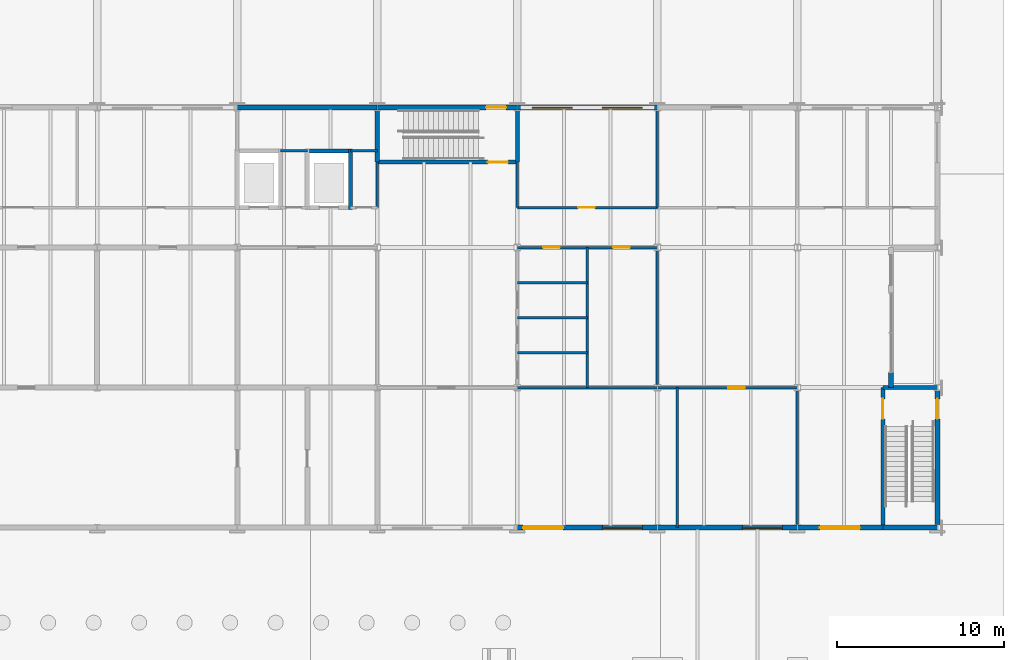
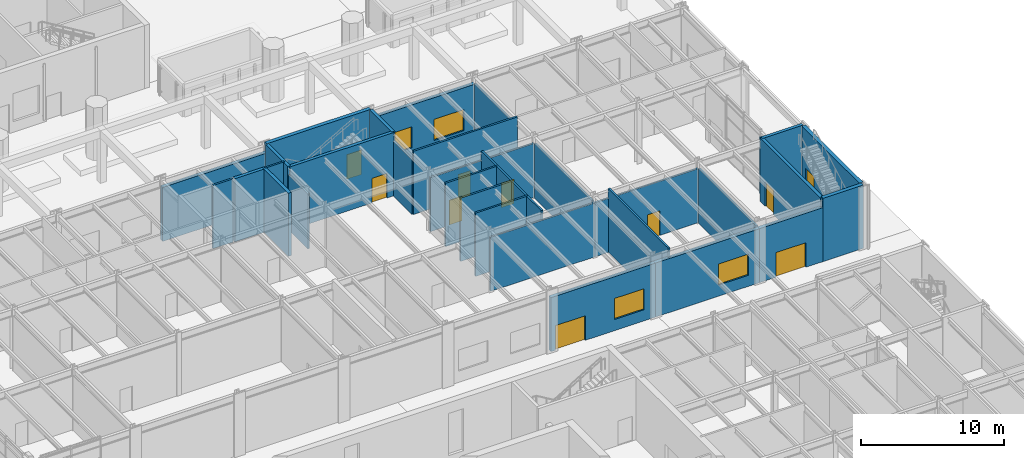
# One storey, part 71 of 127: 32 walls, 10 doors, 4 windows, 14 openings.
"""IFC4 building model written with IfcOpenShell, lengths in metres."""

from ifc_helpers import new_model, si_unit, direction, frame, frame_2d, origin, place, context, subcontext, project, spatial, rectangle, extrude, material, layer, layer_set, type_object, element, fill, save


model = new_model("IFC4")

# Units and contexts
model_context = context("Model", 3, precision=1e-05, world=origin(), true_north=direction((0.0, 1.0)))
body_context = subcontext(model_context, "Body", "Model", "MODEL_VIEW")
ifc_project = project(units=[si_unit("LENGTHUNIT", "METRE"), si_unit("AREAUNIT", "SQUARE_METRE"), si_unit("VOLUMEUNIT", "CUBIC_METRE"), si_unit("PLANEANGLEUNIT", "RADIAN"), si_unit("MASSUNIT", "GRAM", prefix="KILO")], contexts=[model_context])

# Site, building, storey
site_placement = place(None, origin())
site = spatial("IfcSite", under=ifc_project, at=site_placement, CompositionType="ELEMENT")
building_placement = place(site_placement, origin())
building = spatial("IfcBuilding", under=site, at=building_placement, Name="Ljudholm Concert House", CompositionType="ELEMENT")
storey_placement = place(building_placement, origin())
storey = spatial("IfcBuildingStorey", under=building, at=storey_placement, Name="L00", CompositionType="ELEMENT", Elevation=0.0)

# Walls
ifc_material_1 = material(Name="Gypsum board on steel studs", Category="steel")
ifc_layer_1 = layer(ifc_material_1, 0.14990234375)
ifc_layer_set_1 = layer_set([ifc_layer_1], Name="Gypsum board on steel studs")
wall_type_1 = type_object("IfcWallType", Name="GYPSUM PARTITION 150", PredefinedType="PARTITIONING", material=ifc_layer_set_1)
for number, where, z_axis, x_axis, name in (
    (1, (88.0, 124.0, 0.0), (0.0, 0.0, 1.0), (0.0, 1.0, 0.0), "Partition"),
    (2, (96.39990234375, 124.0, 0.0), (0.0, 0.0, 1.0), (0.0, 1.0, 0.0), "Partition"),
):
    element("IfcWall", number, at=place(storey_placement, frame(where, z_axis=z_axis, x_axis=x_axis)), inside=storey, type_object=wall_type_1, Name=name, PredefinedType="PARTITIONING", context=body_context, shape_type="SweptSolid", body=[
        extrude(rectangle(XDim=2.72509765625, YDim=0.14990234375, at=frame_2d((1.362548828125, 0.0))), origin(), (0.0, 0.0, 1.0), 4.6865234375),
    ])
wall_1_placement = place(storey_placement, frame((100.60009765625, 113.199951171875, 0.0), z_axis=(0.0, 0.0, 1.0), x_axis=(0.0, 1.0, 0.0)))
element("IfcWall", 3, at=wall_1_placement, inside=storey, type_object=wall_type_1, Name="Partition", PredefinedType="PARTITIONING", context=body_context, shape_type="SweptSolid", body=[
    extrude(rectangle(XDim=8.400146484375, YDim=0.14990234375, at=frame_2d((4.2001953125, 0.0))), origin(), (0.0, 0.0, 1.0), 5.39990234375),
])
wall_2_placement = place(storey_placement, frame((104.800048828125, 113.38671875, 0.0), z_axis=(0.0, 0.0, 1.0), x_axis=(0.0, 1.0, 0.0)))
element("IfcWall", 4, at=wall_2_placement, inside=storey, type_object=wall_type_1, Name="Partition", PredefinedType="PARTITIONING", context=body_context, shape_type="SweptSolid", body=[
    extrude(rectangle(XDim=8.026611328125, YDim=0.14990234375, at=frame_2d((4.01318359375, 0.0))), origin(), (0.0, 0.0, 1.0), 4.6865234375),
])
wall_3_placement = place(storey_placement, frame((104.800048828125, 124.0, 0.0), z_axis=(0.0, 0.0, 1.0), x_axis=(0.0, 1.0, 0.0)))
element("IfcWall", 5, at=wall_3_placement, inside=storey, type_object=wall_type_1, Name="Partition", PredefinedType="PARTITIONING", context=body_context, shape_type="SweptSolid", body=[
    extrude(rectangle(XDim=5.813232421875, YDim=0.14990234375, at=frame_2d((2.90673828125, 0.0))), origin(), (0.0, 0.0, 1.0), 4.6865234375),
])
wall_4_placement = place(storey_placement, frame((106.0, 104.800048828125, 0.0), z_axis=(0.0, 0.0, 1.0), x_axis=(0.0, 1.0, 0.0)))
element("IfcWall", 6, at=wall_4_placement, inside=storey, type_object=wall_type_1, Name="Partition", PredefinedType="PARTITIONING", context=body_context, shape_type="SweptSolid", body=[
    extrude(rectangle(XDim=8.39990234375, YDim=0.14990234375, at=frame_2d((4.199951171875, 0.0))), origin(), (0.0, 0.0, 1.0), 5.39990234375),
])
wall_5_placement = place(storey_placement, frame((113.199951171875, 104.986572265625, 0.0), z_axis=(0.0, 0.0, 1.0), x_axis=(0.0, 1.0, 0.0)))
element("IfcWall", 7, at=wall_5_placement, inside=storey, type_object=wall_type_1, Name="Partition", PredefinedType="PARTITIONING", context=body_context, shape_type="SweptSolid", body=[
    extrude(rectangle(XDim=8.02685546875, YDim=0.14990234375, at=frame_2d((4.013427734375, 0.0))), origin(), (0.0, 0.0, 1.0), 4.6865234375),
])

# Wall, opening, door
wall_6_placement = place(storey_placement, frame((104.791748046875, 113.199951171875, 0.0), z_axis=(0.0, 0.0, 1.0), x_axis=(1.0, 0.0, 0.0)))
wall_6 = element("IfcWall", 8, at=wall_6_placement, inside=storey, type_object=wall_type_1, Name="Partition", PredefinedType="PARTITIONING", context=body_context, shape_type="SweptSolid", body=[
    extrude(rectangle(XDim=8.400146484375, YDim=0.14990234375, at=frame_2d((4.2001953125, 0.0))), origin(), (0.0, 0.0, 1.0), 4.60791015625),
])
opening_1_placement = place(wall_6_placement, frame((4.25830078125, 0.0, 0.0)))
opening_1 = element("IfcOpeningElement", 9, at=opening_1_placement, cuts=wall_6, Name="Opening D-R00-029", PredefinedType="OPENING", context=body_context, shape_type="SweptSolid", body=[
    extrude(rectangle(XDim=1.0, YDim=2.10009765625, at=frame_2d((0.5, 1.050048828125))), frame((0.0, 0.0849609375, 0.0), z_axis=(0.0, -1.0, 0.0), x_axis=(1.0, 0.0, 0.0)), (0.0, 0.0, 1.0), 0.169921875),
])
ifc_material_2 = material(Name="Hollow metal door in steel frame", Category="steel")
door_type_1 = type_object("IfcDoorType", Name="SWING DOOR 1000x2100", OperationType="SINGLE_SWING_LEFT", PredefinedType="DOOR", material=ifc_material_2)
door_1_placement = place(opening_1_placement, frame((1.0, 0.0, 0.0), z_axis=(0.0, 0.0, 1.0), x_axis=(-1.0, 0.0, 0.0)))
door_1 = element("IfcDoor", 10, at=door_1_placement, inside=storey, type_object=door_type_1, Name="Door", OperationType="SINGLE_SWING_LEFT", OverallHeight=2.10009765625, OverallWidth=1.0, PredefinedType="DOOR", context=body_context, shape_type="SweptSolid", body=[
    extrude(rectangle(XDim=1.0, YDim=2.10009765625, at=frame_2d((0.5, 1.050048828125))), frame((0.0, 0.02490234375, 0.0), z_axis=(0.0, -1.0, 0.0), x_axis=(1.0, 0.0, 0.0)), (0.0, 0.0, 1.0), 0.050048828125),
])
fill(opening_1, door_1)

# Walls
wall_7_placement = place(storey_placement, frame((96.391845703125, 113.199951171875, 0.0), z_axis=(0.0, 0.0, 1.0), x_axis=(1.0, 0.0, 0.0)))
element("IfcWall", 11, at=wall_7_placement, inside=storey, type_object=wall_type_1, Name="Partition", PredefinedType="PARTITIONING", context=body_context, shape_type="SweptSolid", body=[
    extrude(rectangle(XDim=8.416259765625, YDim=0.14990234375, at=frame_2d((4.2080078125, 0.0))), origin(), (0.0, 0.0, 1.0), 4.60791015625),
])
for number, where, z_axis, x_axis, name in (
    (12, (96.39990234375, 115.300048828125, 0.0), (0.0, 0.0, 1.0), (1.0, 0.0, 0.0), "Partition"),
    (13, (96.39990234375, 117.39990234375, 0.0), (0.0, 0.0, 1.0), (1.0, 0.0, 0.0), "Partition"),
    (14, (96.39990234375, 119.5, 0.0), (0.0, 0.0, 1.0), (1.0, 0.0, 0.0), "Partition"),
):
    element("IfcWall", number, at=place(storey_placement, frame(where, z_axis=z_axis, x_axis=x_axis)), inside=storey, type_object=wall_type_1, Name=name, PredefinedType="PARTITIONING", context=body_context, shape_type="SweptSolid", body=[
        extrude(rectangle(XDim=4.2001953125, YDim=0.14990234375, at=frame_2d((2.10009765625, 0.0))), origin(), (0.0, 0.0, 1.0), 5.39990234375),
    ])

# Wall, openings, doors
wall_8_placement = place(storey_placement, frame((96.408203125, 121.60009765625, 0.0), z_axis=(0.0, 0.0, 1.0), x_axis=(1.0, 0.0, 0.0)))
wall_8 = element("IfcWall", 15, at=wall_8_placement, inside=storey, type_object=wall_type_1, Name="Partition", PredefinedType="PARTITIONING", context=body_context, shape_type="SweptSolid", body=[
    extrude(rectangle(XDim=8.383544921875, YDim=0.14990234375, at=frame_2d((4.19189453125, 0.0))), origin(), (0.0, 0.0, 1.0), 4.60791015625),
])
opening_2_placement = place(wall_8_placement, frame((1.541748046875, 0.0, 0.0)))
opening_2 = element("IfcOpeningElement", 16, at=opening_2_placement, cuts=wall_8, Name="Opening D-R00-027", PredefinedType="OPENING", context=body_context, shape_type="SweptSolid", body=[
    extrude(rectangle(XDim=1.0, YDim=2.10009765625, at=frame_2d((0.5, 1.050048828125))), frame((0.0, 0.0849609375, 0.0), z_axis=(0.0, -1.0, 0.0), x_axis=(1.0, 0.0, 0.0)), (0.0, 0.0, 1.0), 0.169921875),
])
opening_3_placement = place(wall_8_placement, frame((5.74169921875, 0.0, 0.0)))
opening_3 = element("IfcOpeningElement", 17, at=opening_3_placement, cuts=wall_8, Name="Opening D-R00-028", PredefinedType="OPENING", context=body_context, shape_type="SweptSolid", body=[
    extrude(rectangle(XDim=1.0, YDim=2.10009765625, at=frame_2d((0.5, 1.050048828125))), frame((0.0, 0.0849609375, 0.0), z_axis=(0.0, -1.0, 0.0), x_axis=(1.0, 0.0, 0.0)), (0.0, 0.0, 1.0), 0.169921875),
])
door_2_placement = place(opening_2_placement, frame((1.0, 0.0, 0.0), z_axis=(0.0, 0.0, 1.0), x_axis=(-1.0, 0.0, 0.0)))
door_2 = element("IfcDoor", 18, at=door_2_placement, inside=storey, type_object=door_type_1, Name="Door", OperationType="SINGLE_SWING_LEFT", OverallHeight=2.10009765625, OverallWidth=1.0, PredefinedType="DOOR", context=body_context, shape_type="SweptSolid", body=[
    extrude(rectangle(XDim=1.0, YDim=2.10009765625, at=frame_2d((0.5, 1.050048828125))), frame((0.0, 0.02490234375, 0.0), z_axis=(0.0, -1.0, 0.0), x_axis=(1.0, 0.0, 0.0)), (0.0, 0.0, 1.0), 0.050048828125),
])
fill(opening_2, door_2)
door_3_placement = place(opening_3_placement, frame((1.0, 0.0, 0.0), z_axis=(0.0, 0.0, 1.0), x_axis=(-1.0, 0.0, 0.0)))
door_3 = element("IfcDoor", 19, at=door_3_placement, inside=storey, type_object=door_type_1, Name="Door", OperationType="SINGLE_SWING_RIGHT", OverallHeight=2.10009765625, OverallWidth=1.0, PredefinedType="DOOR", context=body_context, shape_type="SweptSolid", body=[
    extrude(rectangle(XDim=1.0, YDim=2.10009765625, at=frame_2d((0.5, 1.050048828125))), frame((0.0, 0.02490234375, 0.0), z_axis=(0.0, -1.0, 0.0), x_axis=(1.0, 0.0, 0.0)), (0.0, 0.0, 1.0), 0.050048828125),
])
fill(opening_3, door_3)

# Wall, opening, door
wall_9_placement = place(storey_placement, frame((96.39990234375, 124.0, 0.0), z_axis=(0.0, 0.0, 1.0), x_axis=(1.0, 0.0, 0.0)))
wall_9 = element("IfcWall", 20, at=wall_9_placement, inside=storey, type_object=wall_type_1, Name="Partition", PredefinedType="PARTITIONING", context=body_context, shape_type="SweptSolid", body=[
    extrude(rectangle(XDim=8.400146484375, YDim=0.14990234375, at=frame_2d((4.2001953125, 0.0))), origin(), (0.0, 0.0, 1.0), 5.39990234375),
])
opening_4_placement = place(wall_9_placement, frame((3.64990234375, 0.0, 0.0)))
opening_4 = element("IfcOpeningElement", 21, at=opening_4_placement, cuts=wall_9, Name="Opening D-R00-032", PredefinedType="OPENING", context=body_context, shape_type="SweptSolid", body=[
    extrude(rectangle(XDim=1.0, YDim=2.10009765625, at=frame_2d((0.5, 1.050048828125))), frame((0.0, 0.0849609375, 0.0), z_axis=(0.0, -1.0, 0.0), x_axis=(1.0, 0.0, 0.0)), (0.0, 0.0, 1.0), 0.169921875),
])
door_4_placement = place(opening_4_placement, origin())
door_4 = element("IfcDoor", 22, at=door_4_placement, inside=storey, type_object=door_type_1, Name="Door", OperationType="SINGLE_SWING_LEFT", OverallHeight=2.10009765625, OverallWidth=1.0, PredefinedType="DOOR", context=body_context, shape_type="SweptSolid", body=[
    extrude(rectangle(XDim=1.0, YDim=2.10009765625, at=frame_2d((0.5, 1.050048828125))), frame((0.0, 0.02490234375, 0.0), z_axis=(0.0, -1.0, 0.0), x_axis=(1.0, 0.0, 0.0)), (0.0, 0.0, 1.0), 0.050048828125),
])
fill(opening_4, door_4)

# Walls
for number, where, z_axis, x_axis, name in (
    (23, (82.199951171875, 127.39990234375, 0.0), (0.0, 0.0, 1.0), (1.0, 0.0, 0.0), "Partition"),
    (24, (86.39990234375, 127.39990234375, 0.0), (0.0, 0.0, 1.0), (1.0, 0.0, 0.0), "Partition"),
):
    element("IfcWall", number, at=place(storey_placement, frame(where, z_axis=z_axis, x_axis=x_axis)), inside=storey, type_object=wall_type_1, Name=name, PredefinedType="PARTITIONING", context=body_context, shape_type="SweptSolid", body=[
        extrude(rectangle(XDim=1.60009765625, YDim=0.14990234375, at=frame_2d((0.800048828125, 0.0))), origin(), (0.0, 0.0, 1.0), 5.39990234375),
    ])
ifc_material_3 = material(Name="Precast concrete 5,000 psi", Category="concrete")
ifc_layer_2 = layer(ifc_material_3, 0.300048828125)
ifc_layer_set_2 = layer_set([ifc_layer_2], Name="Precast concrete 5,000 psi")
wall_type_2 = type_object("IfcWallType", Name="PRECAST PANEL WALL 300", PredefinedType="SOLIDWALL", material=ifc_layer_set_2)
wall_10_placement = place(storey_placement, frame((118.800048828125, 113.199951171875, 0.0), z_axis=(0.0, 0.0, 1.0), x_axis=(0.0, 1.0, 0.0)))
element("IfcWall", 25, at=wall_10_placement, inside=storey, type_object=wall_type_2, Name="Entrance wall", PredefinedType="SOLIDWALL", context=body_context, shape_type="SweptSolid", body=[
    extrude(rectangle(XDim=0.900146484375, YDim=0.300048828125, at=frame_2d((0.4501953125, 0.0))), origin(), (0.0, 0.0, 1.0), 4.813720703125),
])

# Wall, openings, window, door
wall_11_placement = place(storey_placement, frame((96.391845703125, 104.800048828125, 0.0), z_axis=(0.0, 0.0, 1.0), x_axis=(1.0, 0.0, 0.0)))
wall_11 = element("IfcWall", 26, at=wall_11_placement, inside=storey, type_object=wall_type_2, Name="Facade wall", PredefinedType="SOLIDWALL", context=body_context, shape_type="SweptSolid", body=[
    extrude(rectangle(XDim=8.416259765625, YDim=0.300048828125, at=frame_2d((4.2080078125, 0.0))), origin(), (0.0, 0.0, 1.0), 4.60791015625),
])
opening_5_placement = place(wall_11_placement, frame((0.358154296875, 0.0, 0.0)))
opening_5 = element("IfcOpeningElement", 27, at=opening_5_placement, cuts=wall_11, Name="Opening D-R00-008", PredefinedType="OPENING", context=body_context, shape_type="SweptSolid", body=[
    extrude(rectangle(XDim=2.39990234375, YDim=2.10009765625, at=frame_2d((1.199951171875, 1.050048828125))), frame((0.0, 0.159912109375, 0.0), z_axis=(0.0, -1.0, 0.0), x_axis=(1.0, 0.0, 0.0)), (0.0, 0.0, 1.0), 0.320068359375),
])
opening_6_placement = place(wall_11_placement, frame((5.108154296875, 0.0, 0.949951171875)))
opening_6 = element("IfcOpeningElement", 28, at=opening_6_placement, cuts=wall_11, Name="Opening X-R00-003", PredefinedType="OPENING", context=body_context, shape_type="SweptSolid", body=[
    extrude(rectangle(XDim=2.39990234375, YDim=1.800048828125, at=frame_2d((1.199951171875, 0.89990234375))), frame((0.0, 0.159912109375, 0.0), z_axis=(0.0, -1.0, 0.0), x_axis=(1.0, 0.0, 0.0)), (0.0, 0.0, 1.0), 0.320068359375),
])
ifc_material_4 = material(Name="Aluminium frame, impact glazing", Category="aluminium")
window_type_1 = type_object("IfcWindowType", Name="CASEMENT WINDOW 2400x1800", PartitioningType="DOUBLE_PANEL_VERTICAL", PredefinedType="WINDOW", material=ifc_material_4)
window_1_placement = place(opening_6_placement, origin())
window_1 = element("IfcWindow", 29, at=window_1_placement, inside=storey, type_object=window_type_1, Name="Window", OverallHeight=1.800048828125, OverallWidth=2.39990234375, PartitioningType="DOUBLE_PANEL_VERTICAL", PredefinedType="WINDOW", context=body_context, shape_type="SweptSolid", body=[
    extrude(rectangle(XDim=2.39990234375, YDim=1.800048828125, at=frame_2d((1.199951171875, 0.89990234375))), frame((0.0, 0.030029296875, 0.0), z_axis=(0.0, -1.0, 0.0), x_axis=(1.0, 0.0, 0.0)), (0.0, 0.0, 1.0), 0.06005859375),
])
fill(opening_6, window_1)
ifc_material_5 = material(Name="Hollow metal door in steel frame", Category="steel")
door_type_2 = type_object("IfcDoorType", Name="DOUBLE DOOR 2400x2100 EXTERNAL", OperationType="DOUBLE_DOOR_SINGLE_SWING", PredefinedType="DOOR", material=ifc_material_5)
door_5_placement = place(opening_5_placement, frame((2.39990234375, 0.0, 0.0), z_axis=(0.0, 0.0, 1.0), x_axis=(-1.0, 0.0, 0.0)))
door_5 = element("IfcDoor", 30, at=door_5_placement, inside=storey, type_object=door_type_2, Name="Entrance door", OperationType="DOUBLE_DOOR_SINGLE_SWING", OverallHeight=2.10009765625, OverallWidth=2.39990234375, PredefinedType="DOOR", context=body_context, shape_type="SweptSolid", body=[
    extrude(rectangle(XDim=2.39990234375, YDim=2.10009765625, at=frame_2d((1.199951171875, 1.050048828125))), frame((0.0, 0.02490234375, 0.0), z_axis=(0.0, -1.0, 0.0), x_axis=(1.0, 0.0, 0.0)), (0.0, 0.0, 1.0), 0.050048828125),
])
fill(opening_5, door_5)

# Wall, opening, window
wall_12_placement = place(storey_placement, frame((104.791748046875, 104.800048828125, 0.0), z_axis=(0.0, 0.0, 1.0), x_axis=(1.0, 0.0, 0.0)))
wall_12 = element("IfcWall", 31, at=wall_12_placement, inside=storey, type_object=wall_type_2, Name="Facade wall", PredefinedType="SOLIDWALL", context=body_context, shape_type="SweptSolid", body=[
    extrude(rectangle(XDim=8.41650390625, YDim=0.300048828125, at=frame_2d((4.208251953125, 0.0))), origin(), (0.0, 0.0, 1.0), 4.60791015625),
])
opening_7_placement = place(wall_12_placement, frame((5.108154296875, 0.0, 0.949951171875)))
opening_7 = element("IfcOpeningElement", 32, at=opening_7_placement, cuts=wall_12, Name="Opening X-R00-004", PredefinedType="OPENING", context=body_context, shape_type="SweptSolid", body=[
    extrude(rectangle(XDim=2.39990234375, YDim=1.800048828125, at=frame_2d((1.199951171875, 0.89990234375))), frame((0.0, 0.159912109375, 0.0), z_axis=(0.0, -1.0, 0.0), x_axis=(1.0, 0.0, 0.0)), (0.0, 0.0, 1.0), 0.320068359375),
])
window_2_placement = place(opening_7_placement, origin())
window_2 = element("IfcWindow", 33, at=window_2_placement, inside=storey, type_object=window_type_1, Name="Window", OverallHeight=1.800048828125, OverallWidth=2.39990234375, PartitioningType="DOUBLE_PANEL_VERTICAL", PredefinedType="WINDOW", context=body_context, shape_type="SweptSolid", body=[
    extrude(rectangle(XDim=2.39990234375, YDim=1.800048828125, at=frame_2d((1.199951171875, 0.89990234375))), frame((0.0, 0.030029296875, 0.0), z_axis=(0.0, -1.0, 0.0), x_axis=(1.0, 0.0, 0.0)), (0.0, 0.0, 1.0), 0.06005859375),
])
fill(opening_7, window_2)

# Wall, opening, door
wall_13_placement = place(storey_placement, frame((113.19189453125, 104.800048828125, 0.0), z_axis=(0.0, 0.0, 1.0), x_axis=(1.0, 0.0, 0.0)))
wall_13 = element("IfcWall", 34, at=wall_13_placement, inside=storey, type_object=wall_type_2, Name="Facade wall", PredefinedType="SOLIDWALL", context=body_context, shape_type="SweptSolid", body=[
    extrude(rectangle(XDim=5.133056640625, YDim=0.300048828125, at=frame_2d((2.56640625, 0.0))), origin(), (0.0, 0.0, 1.0), 4.60791015625),
])
opening_8_placement = place(wall_13_placement, frame((1.358154296875, 0.0, 0.0)))
opening_8 = element("IfcOpeningElement", 35, at=opening_8_placement, cuts=wall_13, Name="Opening D-R00-006", PredefinedType="OPENING", context=body_context, shape_type="SweptSolid", body=[
    extrude(rectangle(XDim=2.39990234375, YDim=2.10009765625, at=frame_2d((1.199951171875, 1.050048828125))), frame((0.0, 0.159912109375, 0.0), z_axis=(0.0, -1.0, 0.0), x_axis=(1.0, 0.0, 0.0)), (0.0, 0.0, 1.0), 0.320068359375),
])
door_6_placement = place(opening_8_placement, frame((2.39990234375, 0.0, 0.0), z_axis=(0.0, 0.0, 1.0), x_axis=(-1.0, 0.0, 0.0)))
door_6 = element("IfcDoor", 36, at=door_6_placement, inside=storey, type_object=door_type_2, Name="Entrance door", OperationType="DOUBLE_DOOR_SINGLE_SWING", OverallHeight=2.10009765625, OverallWidth=2.39990234375, PredefinedType="DOOR", context=body_context, shape_type="SweptSolid", body=[
    extrude(rectangle(XDim=2.39990234375, YDim=2.10009765625, at=frame_2d((1.199951171875, 1.050048828125))), frame((0.0, 0.02490234375, 0.0), z_axis=(0.0, -1.0, 0.0), x_axis=(1.0, 0.0, 0.0)), (0.0, 0.0, 1.0), 0.050048828125),
])
fill(opening_8, door_6)

# Wall
wall_14_placement = place(storey_placement, frame((79.591796875, 130.0, 0.0), z_axis=(0.0, 0.0, 1.0), x_axis=(1.0, 0.0, 0.0)))
element("IfcWall", 37, at=wall_14_placement, inside=storey, type_object=wall_type_2, Name="Facade wall", PredefinedType="SOLIDWALL", context=body_context, shape_type="SweptSolid", body=[
    extrude(rectangle(XDim=8.41650390625, YDim=0.300048828125, at=frame_2d((4.208251953125, 0.0))), origin(), (0.0, 0.0, 1.0), 4.60791015625),
])

# Wall, openings, windows
wall_15_placement = place(storey_placement, frame((96.391845703125, 130.0, 0.0), z_axis=(0.0, 0.0, 1.0), x_axis=(1.0, 0.0, 0.0)))
wall_15 = element("IfcWall", 38, at=wall_15_placement, inside=storey, type_object=wall_type_2, Name="Facade wall", PredefinedType="SOLIDWALL", context=body_context, shape_type="SweptSolid", body=[
    extrude(rectangle(XDim=8.416259765625, YDim=0.300048828125, at=frame_2d((4.2080078125, 0.0))), origin(), (0.0, 0.0, 1.0), 4.60791015625),
])
opening_9_placement = place(wall_15_placement, frame((0.908203125, 0.0, 0.949951171875)))
opening_9 = element("IfcOpeningElement", 39, at=opening_9_placement, cuts=wall_15, Name="Opening X-R00-008", PredefinedType="OPENING", context=body_context, shape_type="SweptSolid", body=[
    extrude(rectangle(XDim=2.39990234375, YDim=1.800048828125, at=frame_2d((1.199951171875, 0.89990234375))), frame((0.0, 0.159912109375, 0.0), z_axis=(0.0, -1.0, 0.0), x_axis=(1.0, 0.0, 0.0)), (0.0, 0.0, 1.0), 0.320068359375),
])
opening_10_placement = place(wall_15_placement, frame((5.108154296875, 0.0, 0.949951171875)))
opening_10 = element("IfcOpeningElement", 40, at=opening_10_placement, cuts=wall_15, Name="Opening X-R00-009", PredefinedType="OPENING", context=body_context, shape_type="SweptSolid", body=[
    extrude(rectangle(XDim=2.39990234375, YDim=1.800048828125, at=frame_2d((1.199951171875, 0.89990234375))), frame((0.0, 0.159912109375, 0.0), z_axis=(0.0, -1.0, 0.0), x_axis=(1.0, 0.0, 0.0)), (0.0, 0.0, 1.0), 0.320068359375),
])
ifc_material_6 = material(Name="Aluminium fixed louvre, timber-grain finish", Category="aluminium")
window_type_2 = type_object("IfcWindowType", Name="FIXED WINDOW 2400x1800", PartitioningType="SINGLE_PANEL", PredefinedType="WINDOW", material=ifc_material_6)
window_3_placement = place(opening_9_placement, origin())
window_3 = element("IfcWindow", 41, at=window_3_placement, inside=storey, type_object=window_type_2, Name="Plant louvre", OverallHeight=1.800048828125, OverallWidth=2.39990234375, PartitioningType="SINGLE_PANEL", PredefinedType="WINDOW", context=body_context, shape_type="SweptSolid", body=[
    extrude(rectangle(XDim=2.39990234375, YDim=1.800048828125, at=frame_2d((1.199951171875, 0.89990234375))), frame((0.0, 0.030029296875, 0.0), z_axis=(0.0, -1.0, 0.0), x_axis=(1.0, 0.0, 0.0)), (0.0, 0.0, 1.0), 0.06005859375),
])
fill(opening_9, window_3)
window_4_placement = place(opening_10_placement, origin())
window_4 = element("IfcWindow", 42, at=window_4_placement, inside=storey, type_object=window_type_2, Name="Plant louvre", OverallHeight=1.800048828125, OverallWidth=2.39990234375, PartitioningType="SINGLE_PANEL", PredefinedType="WINDOW", context=body_context, shape_type="SweptSolid", body=[
    extrude(rectangle(XDim=2.39990234375, YDim=1.800048828125, at=frame_2d((1.199951171875, 0.89990234375))), frame((0.0, 0.030029296875, 0.0), z_axis=(0.0, -1.0, 0.0), x_axis=(1.0, 0.0, 0.0)), (0.0, 0.0, 1.0), 0.06005859375),
])
fill(opening_10, window_4)

# Walls
ifc_material_7 = material(Name="Concrete 6,500 psi", Category="concrete")
ifc_layer_3 = layer(ifc_material_7, 0.25)
ifc_layer_set_3 = layer_set([ifc_layer_3], Name="Concrete 6,500 psi")
wall_type_3 = type_object("IfcWallType", Name="RC CORE WALL 250", PredefinedType="SHEAR", material=ifc_layer_set_3)
for number, where, z_axis, x_axis, name in (
    (43, (88.0, 126.72509765625, 0.0), (0.0, 0.0, 1.0), (0.0, 1.0, 0.0), "Stair core wall"),
    (44, (96.39990234375, 126.72509765625, 0.0), (0.0, 0.0, 1.0), (0.0, 1.0, 0.0), "Stair core wall"),
):
    element("IfcWall", number, at=place(storey_placement, frame(where, z_axis=z_axis, x_axis=x_axis)), inside=storey, type_object=wall_type_3, Name=name, PredefinedType="SHEAR", context=body_context, shape_type="SweptSolid", body=[
        extrude(rectangle(XDim=3.088134765625, YDim=0.25, at=frame_2d((1.5439453125, 0.0))), origin(), (0.0, 0.0, 1.0), 5.39990234375),
    ])

# Wall, opening, door
wall_16_placement = place(storey_placement, frame((118.324951171875, 104.800048828125, 0.0), z_axis=(0.0, 0.0, 1.0), x_axis=(0.0, 1.0, 0.0)))
wall_16 = element("IfcWall", 45, at=wall_16_placement, inside=storey, type_object=wall_type_3, Name="Stair core wall", PredefinedType="SHEAR", context=body_context, shape_type="SweptSolid", body=[
    extrude(rectangle(XDim=8.39990234375, YDim=0.25, at=frame_2d((4.199951171875, 0.0))), origin(), (0.0, 0.0, 1.0), 5.39990234375),
])
opening_11_placement = place(wall_16_placement, frame((6.52490234375, 0.0, 0.0)))
opening_11 = element("IfcOpeningElement", 46, at=opening_11_placement, cuts=wall_16, Name="Opening D-R00-013", PredefinedType="OPENING", context=body_context, shape_type="SweptSolid", body=[
    extrude(rectangle(XDim=1.199951171875, YDim=2.10009765625, at=frame_2d((0.60009765625, 1.050048828125))), frame((0.0, 0.135009765625, 0.0), z_axis=(0.0, -1.0, 0.0), x_axis=(1.0, 0.0, 0.0)), (0.0, 0.0, 1.0), 0.27001953125),
])
ifc_material_8 = material(Name="Hollow metal door in steel frame", Category="steel")
door_type_3 = type_object("IfcDoorType", Name="SWING DOOR 1200x2100", OperationType="SINGLE_SWING_LEFT", PredefinedType="DOOR", material=ifc_material_8)
door_7_placement = place(opening_11_placement, frame((1.199951171875, 0.0, 0.0), z_axis=(0.0, 0.0, 1.0), x_axis=(-1.0, 0.0, 0.0)))
door_7 = element("IfcDoor", 47, at=door_7_placement, inside=storey, type_object=door_type_3, Name="Door", OperationType="SINGLE_SWING_LEFT", OverallHeight=2.10009765625, OverallWidth=1.199951171875, PredefinedType="DOOR", context=body_context, shape_type="SweptSolid", body=[
    extrude(rectangle(XDim=1.199951171875, YDim=2.10009765625, at=frame_2d((0.60009765625, 1.050048828125))), frame((0.0, 0.02490234375, 0.0), z_axis=(0.0, -1.0, 0.0), x_axis=(1.0, 0.0, 0.0)), (0.0, 0.0, 1.0), 0.050048828125),
])
fill(opening_11, door_7)

# Wall
wall_17_placement = place(storey_placement, frame((118.324951171875, 113.199951171875, 0.0), z_axis=(0.0, 0.0, 1.0), x_axis=(1.0, 0.0, 0.0)))
element("IfcWall", 48, at=wall_17_placement, inside=storey, type_object=wall_type_3, Name="Stair core wall", PredefinedType="SHEAR", context=body_context, shape_type="SweptSolid", body=[
    extrude(rectangle(XDim=3.266845703125, YDim=0.25, at=frame_2d((1.63330078125, 0.0))), origin(), (0.0, 0.0, 1.0), 5.39990234375),
])

# Wall, opening, door
wall_18_placement = place(storey_placement, frame((88.0, 126.72509765625, 0.0), z_axis=(0.0, 0.0, 1.0), x_axis=(1.0, 0.0, 0.0)))
wall_18 = element("IfcWall", 49, at=wall_18_placement, inside=storey, type_object=wall_type_3, Name="Stair core wall", PredefinedType="SHEAR", context=body_context, shape_type="SweptSolid", body=[
    extrude(rectangle(XDim=8.39990234375, YDim=0.25, at=frame_2d((4.199951171875, 0.0))), origin(), (0.0, 0.0, 1.0), 5.39990234375),
])
opening_12_placement = place(wall_18_placement, frame((6.625, 0.0, 0.0)))
opening_12 = element("IfcOpeningElement", 50, at=opening_12_placement, cuts=wall_18, Name="Opening D-R00-012", PredefinedType="OPENING", context=body_context, shape_type="SweptSolid", body=[
    extrude(rectangle(XDim=1.199951171875, YDim=2.10009765625, at=frame_2d((0.60009765625, 1.050048828125))), frame((0.0, 0.135009765625, 0.0), z_axis=(0.0, -1.0, 0.0), x_axis=(1.0, 0.0, 0.0)), (0.0, 0.0, 1.0), 0.27001953125),
])
door_8_placement = place(opening_12_placement, frame((1.199951171875, 0.0, 0.0), z_axis=(0.0, 0.0, 1.0), x_axis=(-1.0, 0.0, 0.0)))
door_8 = element("IfcDoor", 51, at=door_8_placement, inside=storey, type_object=door_type_3, Name="Door", OperationType="SINGLE_SWING_LEFT", OverallHeight=2.10009765625, OverallWidth=1.199951171875, PredefinedType="DOOR", context=body_context, shape_type="SweptSolid", body=[
    extrude(rectangle(XDim=1.199951171875, YDim=2.10009765625, at=frame_2d((0.60009765625, 1.050048828125))), frame((0.0, 0.02490234375, 0.0), z_axis=(0.0, -1.0, 0.0), x_axis=(1.0, 0.0, 0.0)), (0.0, 0.0, 1.0), 0.050048828125),
])
fill(opening_12, door_8)

ifc_material_9 = material(Name="Concrete 6,500 psi", Category="concrete")
ifc_layer_4 = layer(ifc_material_9, 0.300048828125)
ifc_layer_set_4 = layer_set([ifc_layer_4], Name="Concrete 6,500 psi")
wall_type_4 = type_object("IfcWallType", Name="RC CORE WALL 300", PredefinedType="SHEAR", material=ifc_layer_set_4)
wall_19_placement = place(storey_placement, frame((121.60009765625, 104.986572265625, 0.0), z_axis=(0.0, 0.0, 1.0), x_axis=(0.0, 1.0, 0.0)))
wall_19 = element("IfcWall", 52, at=wall_19_placement, inside=storey, type_object=wall_type_4, Name="Stair core wall", PredefinedType="SHEAR", context=body_context, shape_type="SweptSolid", body=[
    extrude(rectangle(XDim=8.02685546875, YDim=0.300048828125, at=frame_2d((4.013427734375, 0.0))), origin(), (0.0, 0.0, 1.0), 5.39990234375),
])
opening_13_placement = place(wall_19_placement, frame((6.33837890625, 0.0, 0.0)))
opening_13 = element("IfcOpeningElement", 53, at=opening_13_placement, cuts=wall_19, Name="Opening D-R00-005", PredefinedType="OPENING", context=body_context, shape_type="SweptSolid", body=[
    extrude(rectangle(XDim=1.199951171875, YDim=2.10009765625, at=frame_2d((0.60009765625, 1.050048828125))), frame((0.0, 0.159912109375, 0.0), z_axis=(0.0, -1.0, 0.0), x_axis=(1.0, 0.0, 0.0)), (0.0, 0.0, 1.0), 0.320068359375),
])
ifc_material_10 = material(Name="Hollow metal door in steel frame", Category="steel")
door_type_4 = type_object("IfcDoorType", Name="SWING DOOR 1200x2100 EXTERNAL", OperationType="SINGLE_SWING_LEFT", PredefinedType="DOOR", material=ifc_material_10)
door_9_placement = place(opening_13_placement, frame((1.199951171875, 0.0, 0.0), z_axis=(0.0, 0.0, 1.0), x_axis=(-1.0, 0.0, 0.0)))
door_9 = element("IfcDoor", 54, at=door_9_placement, inside=storey, type_object=door_type_4, Name="Stair exit door", OperationType="SINGLE_SWING_LEFT", OverallHeight=2.10009765625, OverallWidth=1.199951171875, PredefinedType="DOOR", context=body_context, shape_type="SweptSolid", body=[
    extrude(rectangle(XDim=1.199951171875, YDim=2.10009765625, at=frame_2d((0.60009765625, 1.050048828125))), frame((0.0, 0.02490234375, 0.0), z_axis=(0.0, -1.0, 0.0), x_axis=(1.0, 0.0, 0.0)), (0.0, 0.0, 1.0), 0.050048828125),
])
fill(opening_13, door_9)

# Wall
wall_20_placement = place(storey_placement, frame((118.324951171875, 104.800048828125, 0.0), z_axis=(0.0, 0.0, 1.0), x_axis=(1.0, 0.0, 0.0)))
element("IfcWall", 55, at=wall_20_placement, inside=storey, type_object=wall_type_4, Name="Stair core wall", PredefinedType="SHEAR", context=body_context, shape_type="SweptSolid", body=[
    extrude(rectangle(XDim=3.266845703125, YDim=0.300048828125, at=frame_2d((1.63330078125, 0.0))), origin(), (0.0, 0.0, 1.0), 5.39990234375),
])

# Wall, opening, door
wall_21_placement = place(storey_placement, frame((87.99169921875, 130.0, 0.0), z_axis=(0.0, 0.0, 1.0), x_axis=(1.0, 0.0, 0.0)))
wall_21 = element("IfcWall", 56, at=wall_21_placement, inside=storey, type_object=wall_type_4, Name="Stair core wall", PredefinedType="SHEAR", context=body_context, shape_type="SweptSolid", body=[
    extrude(rectangle(XDim=8.41650390625, YDim=0.300048828125, at=frame_2d((4.208251953125, 0.0))), origin(), (0.0, 0.0, 1.0), 5.39990234375),
])
opening_14_placement = place(wall_21_placement, frame((6.533203125, 0.0, 0.0)))
opening_14 = element("IfcOpeningElement", 57, at=opening_14_placement, cuts=wall_21, Name="Opening D-R00-004", PredefinedType="OPENING", context=body_context, shape_type="SweptSolid", body=[
    extrude(rectangle(XDim=1.199951171875, YDim=2.10009765625, at=frame_2d((0.60009765625, 1.050048828125))), frame((0.0, 0.159912109375, 0.0), z_axis=(0.0, -1.0, 0.0), x_axis=(1.0, 0.0, 0.0)), (0.0, 0.0, 1.0), 0.320068359375),
])
door_10_placement = place(opening_14_placement, origin())
door_10 = element("IfcDoor", 58, at=door_10_placement, inside=storey, type_object=door_type_4, Name="Stair exit door", OperationType="SINGLE_SWING_LEFT", OverallHeight=2.10009765625, OverallWidth=1.199951171875, PredefinedType="DOOR", context=body_context, shape_type="SweptSolid", body=[
    extrude(rectangle(XDim=1.199951171875, YDim=2.10009765625, at=frame_2d((0.60009765625, 1.050048828125))), frame((0.0, 0.02490234375, 0.0), z_axis=(0.0, -1.0, 0.0), x_axis=(1.0, 0.0, 0.0)), (0.0, 0.0, 1.0), 0.050048828125),
])
fill(opening_14, door_10)

# Walls
ifc_material_11 = material(Name="Concrete 6,500 psi", Category="concrete")
ifc_layer_5 = layer(ifc_material_11, 0.25)
ifc_layer_set_5 = layer_set([ifc_layer_5], Name="Concrete 6,500 psi")
wall_type_5 = type_object("IfcWallType", Name="RC WALL 250", PredefinedType="SOLIDWALL", material=ifc_layer_set_5)
wall_22_placement = place(storey_placement, frame((86.39990234375, 123.875, 0.0), z_axis=(0.0, 0.0, 1.0), x_axis=(0.0, 1.0, 0.0)))
element("IfcWall", 59, at=wall_22_placement, inside=storey, type_object=wall_type_5, Name="Lift shaft wall", PredefinedType="SOLIDWALL", context=body_context, shape_type="SweptSolid", body=[
    extrude(rectangle(XDim=3.64990234375, YDim=0.25, at=frame_2d((1.824951171875, 0.0))), origin(), (0.0, 0.0, 1.0), 5.39990234375),
])
wall_23_placement = place(storey_placement, frame((83.925048828125, 127.39990234375, 0.0), z_axis=(0.0, 0.0, 1.0), x_axis=(1.0, 0.0, 0.0)))
element("IfcWall", 60, at=wall_23_placement, inside=storey, type_object=wall_type_5, Name="Lift shaft wall", PredefinedType="SOLIDWALL", context=body_context, shape_type="SweptSolid", body=[
    extrude(rectangle(XDim=2.349853515625, YDim=0.25, at=frame_2d((1.1748046875, 0.0))), origin(), (0.0, 0.0, 1.0), 5.39990234375),
])

save(model, "model.ifc")
